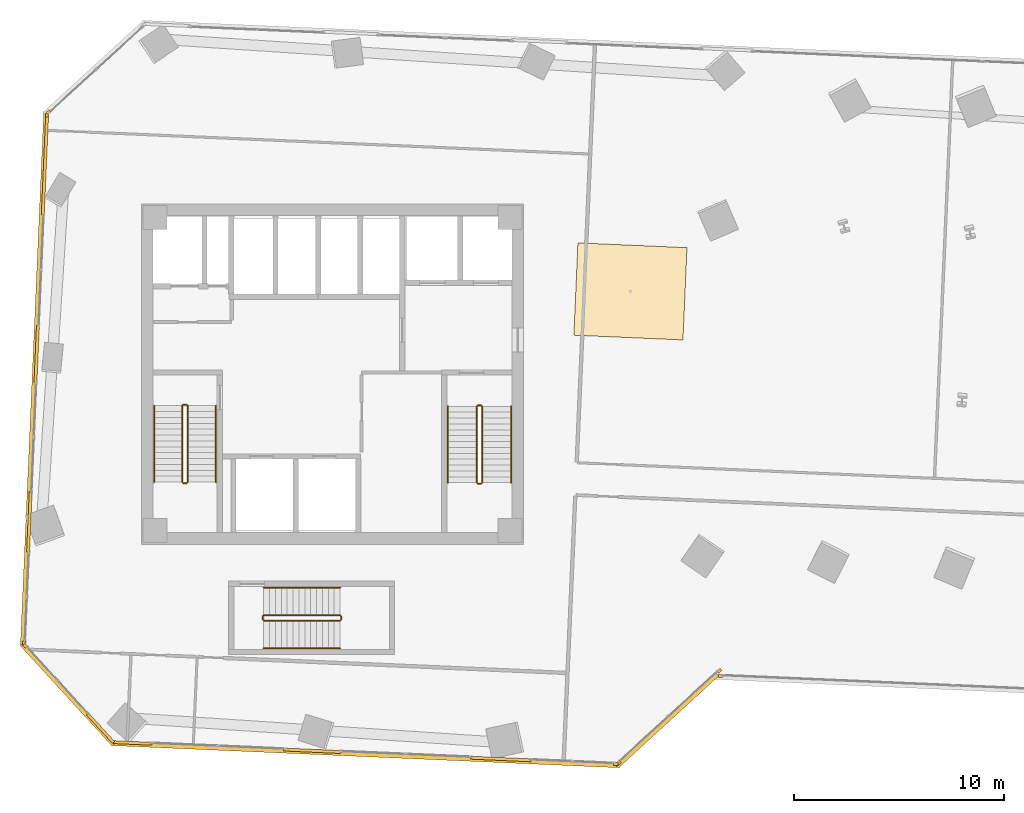
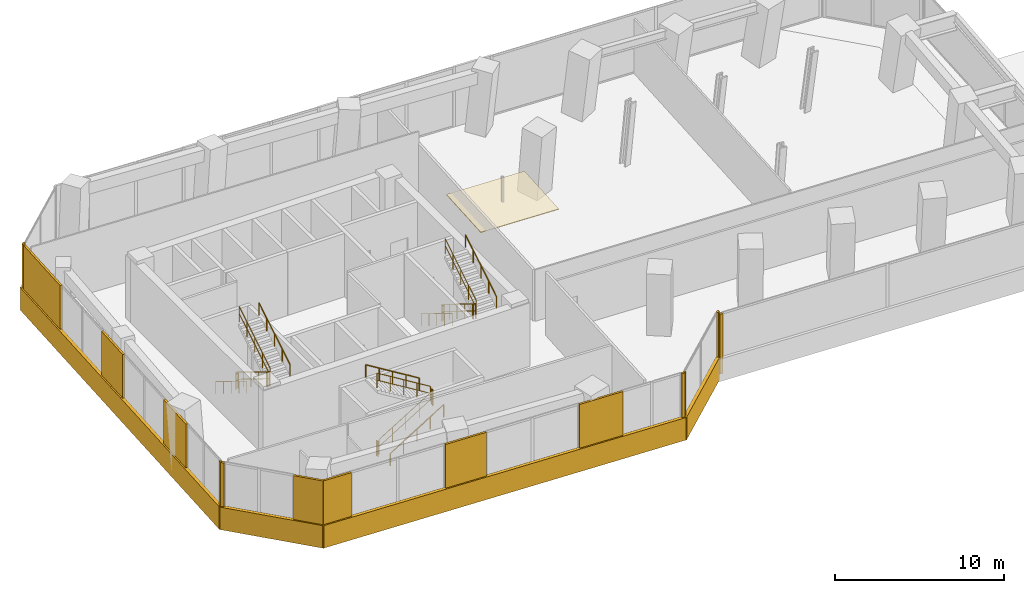
# One storey, part 25 of 27: 20 coverings, 18 railings.
"""IFC4 building model written with IfcOpenShell, lengths in metres."""

import ifcopenshell
import ifcopenshell.guid

model = None  # the IFC model being written
_history = None  # IfcOwnerHistory: only IFC2X3 demands one
_inside = {}  # id of a spatial element -> (the spatial element, [elements in it])
_under = {}  # id of a project, library or spatial element -> (it, [spatial elements below it])
_declared = {}  # id of a project -> (the project, [libraries it declares])
_typed = {}  # id of a type object -> (the type object, [elements of that type])
_made_of = {}  # id of a material, layer set ... -> (it, [elements and type objects made of it])


def new_model(schema):
    """Start an empty IFC model of exactly this schema.

    Asked for "IFC4X3", IfcOpenShell would pick the latest addendum, in which some entities
    have other attributes; the version numbers below select the first issue.
    IFC2X3 requires an IfcOwnerHistory on every rooted entity: one is made here for all.
    """
    global model, _history
    if schema == "IFC4X3":
        model = ifcopenshell.file(schema_version=(4, 3, 0, 0))
    else:
        model = ifcopenshell.file(schema=schema)
    _inside.clear()
    _under.clear()
    _declared.clear()
    _typed.clear()
    _made_of.clear()
    _history = None
    if model.schema == "IFC2X3":
        org = make("IfcOrganization", Name="unknown")
        user = make(
            "IfcPersonAndOrganization",
            ThePerson=make("IfcPerson", FamilyName="unknown"),
            TheOrganization=org,
        )
        app = make(
            "IfcApplication",
            ApplicationDeveloper=org,
            Version="unknown",
            ApplicationFullName="unknown",
            ApplicationIdentifier="unknown",
        )
        _history = make(
            "IfcOwnerHistory",
            OwningUser=user,
            OwningApplication=app,
            ChangeAction="ADDED",
            CreationDate=0,
        )
    return model


def make(cls, **values):
    """One entity of the class cls with the attributes given. An attribute that is None is left unset."""
    return model.create_entity(
        cls, **{name: value for name, value in values.items() if value is not None}
    )


def rooted(cls, **values):
    """An entity with a GlobalId (a new one), such as an element, a storey or a relation."""
    return make(cls, GlobalId=ifcopenshell.guid.new(), OwnerHistory=_history, **values)


def si_unit(unit_type, name, prefix=None):
    """IfcSIUnit, for example si_unit("LENGTHUNIT", "METRE", prefix="MILLI")."""
    return make("IfcSIUnit", UnitType=unit_type, Prefix=prefix, Name=name)


def assignment(units):
    """IfcUnitAssignment: the units of a project."""
    return None if units is None else make("IfcUnitAssignment", Units=units)


def point(xyz):
    """IfcCartesianPoint."""
    return None if xyz is None else make("IfcCartesianPoint", Coordinates=xyz)


def direction(xyz):
    """IfcDirection."""
    return None if xyz is None else make("IfcDirection", DirectionRatios=xyz)


def frame(location, z_axis=None, x_axis=None):
    """IfcAxis2Placement3D, a coordinate frame: its origin and axes. An axis left out is left unset."""
    return make(
        "IfcAxis2Placement3D",
        Location=point(location),
        Axis=direction(z_axis),
        RefDirection=direction(x_axis),
    )


def frame_2d(location, x_axis=None):
    """IfcAxis2Placement2D, a coordinate frame in the plane: its origin and x axis."""
    return make(
        "IfcAxis2Placement2D", Location=point(location), RefDirection=direction(x_axis)
    )


def origin():
    """The frame at (0, 0, 0) with its axes left unset."""
    return frame((0.0, 0.0, 0.0))


def origin_2d():
    """The frame at (0, 0) in the plane with its x axis left unset."""
    return frame_2d((0.0, 0.0))


def place(relative_to, where):
    """IfcLocalPlacement: puts the frame where relative to a parent placement (None: the world)."""
    return make(
        "IfcLocalPlacement", PlacementRelTo=relative_to, RelativePlacement=where
    )


def context(
    kind, dimensions, precision=None, world=None, true_north=None, identifier=None
):
    """IfcGeometricRepresentationContext, for example the 3D "Model" context."""
    return make(
        "IfcGeometricRepresentationContext",
        ContextIdentifier=identifier,
        ContextType=kind,
        CoordinateSpaceDimension=dimensions,
        Precision=precision,
        WorldCoordinateSystem=world,
        TrueNorth=true_north,
    )


def subcontext(parent, identifier, kind, view, scale=None):
    """IfcGeometricRepresentationSubContext, for example "Body" below "Model"."""
    return make(
        "IfcGeometricRepresentationSubContext",
        ContextIdentifier=identifier,
        ContextType=kind,
        ParentContext=parent,
        TargetScale=scale,
        TargetView=view,
    )


def project(units=None, contexts=None):
    """IfcProject with its units and contexts."""
    return rooted(
        "IfcProject",
        Name="project",
        RepresentationContexts=contexts,
        UnitsInContext=assignment(units),
    )


def spatial(cls, under=None, at=None, **own):
    """A site, building, storey or space (cls), placed at a placement, below another one or the project."""
    s = rooted(cls, ObjectPlacement=at, **own)
    if under is not None:
        _under.setdefault(under.id(), (under, []))[1].append(s)
    return s


def polyline(points):
    """IfcPolyline through the points."""
    return make("IfcPolyline", Points=[point(p) for p in points])


def profile(cls, at=None, kind="AREA", **sizes):
    """A parametric profile (cls). Its sizes go by their IFC names, for example OverallWidth=200.0."""
    return make(cls, ProfileType=kind, Position=at, **sizes)


def rectangle(**sizes):
    """IfcRectangleProfileDef."""
    return profile("IfcRectangleProfileDef", **sizes)


def circle(**sizes):
    """IfcCircleProfileDef."""
    return profile("IfcCircleProfileDef", **sizes)


def outline(outer, holes=None, kind="AREA"):
    """IfcArbitraryClosedProfileDef: a profile drawn as a closed curve; with holes, ...WithVoids."""
    if holes is None:
        return make("IfcArbitraryClosedProfileDef", ProfileType=kind, OuterCurve=outer)
    return make(
        "IfcArbitraryProfileDefWithVoids",
        ProfileType=kind,
        OuterCurve=outer,
        InnerCurves=holes,
    )


def extrude(swept, where, along, depth):
    """IfcExtrudedAreaSolid: the profile swept, set in the frame where, extruded along a direction by depth."""
    return make(
        "IfcExtrudedAreaSolid",
        SweptArea=swept,
        Position=where,
        ExtrudedDirection=direction(along),
        Depth=depth,
    )


def shape(context_of_items, identifier, shape_type, items):
    """IfcShapeRepresentation: the items that make up one representation, for example the "Body"."""
    return make(
        "IfcShapeRepresentation",
        ContextOfItems=context_of_items,
        RepresentationIdentifier=identifier,
        RepresentationType=shape_type,
        Items=items,
    )


def source(mapping_origin, context_of_items, identifier, shape_type, items):
    """IfcRepresentationMap: a shape defined once, which mapped items show again and again."""
    return make(
        "IfcRepresentationMap",
        MappingOrigin=mapping_origin,
        MappedRepresentation=shape(context_of_items, identifier, shape_type, items),
    )


def transform(
    local_origin,
    x_axis=None,
    y_axis=None,
    z_axis=None,
    scale=None,
    scale2=None,
    scale3=None,
    uniform=True,
):
    """IfcCartesianTransformationOperator3D, or its non-uniform kind. x_axis, y_axis, z_axis: its Axis1, 2, 3."""
    if uniform:
        return make(
            "IfcCartesianTransformationOperator3D",
            Axis1=direction(x_axis),
            Axis2=direction(y_axis),
            LocalOrigin=point(local_origin),
            Scale=scale,
            Axis3=direction(z_axis),
        )
    return make(
        "IfcCartesianTransformationOperator3DnonUniform",
        Axis1=direction(x_axis),
        Axis2=direction(y_axis),
        LocalOrigin=point(local_origin),
        Scale=scale,
        Axis3=direction(z_axis),
        Scale2=scale2,
        Scale3=scale3,
    )


def mapped(mapping_source, mapping_target):
    """IfcMappedItem: shows the shape of a source again, moved by a transform."""
    return make(
        "IfcMappedItem", MappingSource=mapping_source, MappingTarget=mapping_target
    )


def material(Name=None, Category=None):
    """IfcMaterial."""
    return make("IfcMaterial", Name=Name, Category=Category)


def layer(
    of_material, thickness, ventilated=None, Name=None, Category=None, Priority=None
):
    """IfcMaterialLayer: one layer of a wall or slab, of a material (None: an air gap)."""
    return make(
        "IfcMaterialLayer",
        Material=of_material,
        LayerThickness=thickness,
        IsVentilated=ventilated,
        Name=Name,
        Category=Category,
        Priority=Priority,
    )


def layer_set(layers, Name=None):
    """IfcMaterialLayerSet."""
    return make("IfcMaterialLayerSet", MaterialLayers=layers, LayerSetName=Name)


def made_of(thing, what):
    """Note that an element or type object is made of a material, layer set ...; save() writes the relation."""
    if what is not None:
        _made_of.setdefault(what.id(), (what, []))[1].append(thing)
    return thing


def type_object(cls, material=None, **own):
    """A type object (cls), such as IfcWallType, which elements share."""
    return made_of(rooted(cls, **own), material)


def element(
    cls,
    number,
    at=None,
    inside=None,
    cuts=None,
    type_object=None,
    material=None,
    context=None,
    identifier="Body",
    shape_type=None,
    held_by="IfcProductDefinitionShape",
    body=None,
    shapes=None,
    **own,
):
    """One element of the class cls, such as IfcWall. Its Tag is "e" and its number.

    at: its placement. inside: the storey or other place that contains it. cuts: it is an
    opening in that element (IfcRelVoidsElement). A single representation is given by context,
    identifier, shape_type and body (its items); several are given by shapes. held_by: the class
    of the entity that holds the representations. save() writes the other relations.
    """
    e = rooted(cls, Tag="e%d" % number, ObjectPlacement=at, **own)
    if body is not None:
        shapes = [shape(context, identifier, shape_type, body)]
    if shapes is not None:
        e.Representation = make(held_by, Representations=shapes)
    if inside is not None:
        _inside.setdefault(inside.id(), (inside, []))[1].append(e)
    if cuts is not None:
        rooted(
            "IfcRelVoidsElement", RelatingBuildingElement=cuts, RelatedOpeningElement=e
        )
    if type_object is not None:
        _typed.setdefault(type_object.id(), (type_object, []))[1].append(e)
    return made_of(e, material)


def aggregate(whole, parts):
    """IfcRelAggregates: a whole, such as a stair, and the parts it consists of."""
    return rooted("IfcRelAggregates", RelatingObject=whole, RelatedObjects=parts)


def save(model, path):
    """Write the relations noted so far, then the file.

    IfcRelAggregates (storeys below a building ...), IfcRelContainedInSpatialStructure (elements
    in a storey), IfcRelDefinesByType, IfcRelAssociatesMaterial and IfcRelDeclares: one each for
    every whole, place, type object, material and project.
    """
    for whole, parts in _under.values():
        aggregate(whole, parts)
    for where, things in _inside.values():
        rooted(
            "IfcRelContainedInSpatialStructure",
            RelatedElements=things,
            RelatingStructure=where,
        )
    for kind, things in _typed.values():
        rooted("IfcRelDefinesByType", RelatedObjects=things, RelatingType=kind)
    for what, things in _made_of.values():
        rooted("IfcRelAssociatesMaterial", RelatedObjects=things, RelatingMaterial=what)
    for by, libraries in _declared.values():
        rooted("IfcRelDeclares", RelatingContext=by, RelatedDefinitions=libraries)
    model.write(path)


model = new_model("IFC4")

# Units and contexts
model_context = context("Model", 3, precision=1e-05, world=origin(), true_north=direction((0.0, 1.0)))
body_context = subcontext(model_context, "Body", "Model", "MODEL_VIEW")
ifc_project = project(units=[si_unit("LENGTHUNIT", "METRE"), si_unit("AREAUNIT", "SQUARE_METRE"), si_unit("VOLUMEUNIT", "CUBIC_METRE"), si_unit("PLANEANGLEUNIT", "RADIAN"), si_unit("MASSUNIT", "GRAM", prefix="KILO")], contexts=[model_context])

# Site, building, storey
site_placement = place(None, origin())
site = spatial("IfcSite", under=ifc_project, at=site_placement, CompositionType="ELEMENT")
building_placement = place(site_placement, origin())
building = spatial("IfcBuilding", under=site, at=building_placement, Name="Torre Montelarca", CompositionType="ELEMENT")
storey_placement = place(building_placement, frame((0.0, 0.0, 37.60009765625)))
storey = spatial("IfcBuildingStorey", under=building, at=storey_placement, Name="L08", CompositionType="ELEMENT", Elevation=37.60009765625)

# Covering
ifc_material_1 = material(Name="Micro-perforated walnut timber acoustic slat", Category="wood")
ifc_layer_1 = layer(ifc_material_1, 0.050048828125, Name="Micro-perforated walnut timber acoustic slat", Category="wood")
ifc_layer_set_1 = layer_set([ifc_layer_1], Name="Micro-perforated walnut timber acoustic slat")
covering_type_1 = type_object("IfcCoveringType", Name="COV-CEIL-WD2", PredefinedType="CEILING", material=ifc_layer_set_1)
covering_1_placement = place(storey_placement, frame((0.0, 0.0, 2.719970703125)))
element("IfcCovering", 1, at=covering_1_placement, inside=storey, type_object=covering_type_1, Name="L08 Acoustic Suspended Ceiling 01", PredefinedType="CEILING", context=body_context, shape_type="SweptSolid", body=[
    extrude(outline(polyline([(29.48828125, 33.853271484375), (34.68359375, 33.62646484375), (34.87548828125, 38.022216796875), (29.680419921875, 38.2490234375), (29.48828125, 33.853271484375)])), origin(), (0.0, 0.0, 1.0), 0.050048828125),
])

# Railings
ifc_material_2 = material(Name="Powder-coated steel ASTM A500 Grade C", Category="steel")
railing_type_1 = type_object("IfcRailingType", Name="RL-GUARD-1100", PredefinedType="BALUSTRADE", material=ifc_material_2)
railing_1_placement = place(storey_placement, frame((10.85009765625, 30.5, 0.17138671875)))
element("IfcRailing", 2, at=railing_1_placement, inside=storey, type_object=railing_type_1, Name="L08 ST1 stair guard 1", PredefinedType="BALUSTRADE", context=body_context, shape_type="SweptSolid", body=[
    extrude(circle(Radius=0.02392578125, at=origin_2d()), frame((0.0, 0.0, 1.076171875), z_axis=(0.0, -0.852850264322, 0.5221555579), x_axis=(1.0, 0.0, 0.0)), (0.0, 0.0, 1.0), 4.267822265625),
    extrude(circle(Radius=0.02099609375, at=origin_2d()), frame((0.0, 0.0, 0.572021484375), z_axis=(0.0, -0.852850264322, 0.5221555579), x_axis=(1.0, 0.0, 0.0)), (0.0, 0.0, 1.0), 4.267822265625),
    extrude(circle(Radius=0.02099609375, at=origin_2d()), origin(), (0.0, 0.0, 1.0), 1.052001953125),
    extrude(circle(Radius=0.02099609375, at=origin_2d()), frame((0.0, -0.909912109375, 0.55712890625)), (0.0, 0.0, 1.0), 1.052001953125),
    extrude(circle(Radius=0.02099609375, at=origin_2d()), frame((0.0, -1.81982421875, 1.1142578125)), (0.0, 0.0, 1.0), 1.052001953125),
    extrude(circle(Radius=0.02099609375, at=origin_2d()), frame((0.0, -2.72998046875, 1.67138671875)), (0.0, 0.0, 1.0), 1.052001953125),
    extrude(circle(Radius=0.02099609375, at=origin_2d()), frame((0.0, -3.639892578125, 2.228515625)), (0.0, 0.0, 1.0), 1.052001953125),
])
railing_2_placement = place(storey_placement, frame((10.89990234375, 26.81005859375, 2.39990234375)))
element("IfcRailing", 3, at=railing_2_placement, inside=storey, type_object=railing_type_1, Name="L08 ST1 stair guard 2", PredefinedType="BALUSTRADE", context=body_context, shape_type="SweptSolid", body=[
    extrude(circle(Radius=0.02392578125, at=origin_2d()), frame((0.0, 0.0, 1.076171875), z_axis=(1.0, 0.0, 0.0), x_axis=(0.0, 1.0, 0.0)), (0.0, 0.0, 1.0), 0.150146484375),
    extrude(circle(Radius=0.02099609375, at=origin_2d()), frame((0.0, 0.0, 0.572021484375), z_axis=(1.0, 0.0, 0.0), x_axis=(0.0, 1.0, 0.0)), (0.0, 0.0, 1.0), 0.150146484375),
    extrude(circle(Radius=0.02099609375, at=origin_2d()), origin(), (0.0, 0.0, 1.0), 1.052001953125),
    extrude(circle(Radius=0.02099609375, at=origin_2d()), frame((0.150146484375, 0.0, 0.0)), (0.0, 0.0, 1.0), 1.052001953125),
])
railing_3_placement = place(storey_placement, frame((11.10009765625, 26.860107421875, 2.5712890625)))
element("IfcRailing", 4, at=railing_3_placement, inside=storey, type_object=railing_type_1, Name="L08 ST1 stair guard 3", PredefinedType="BALUSTRADE", context=body_context, shape_type="SweptSolid", body=[
    extrude(circle(Radius=0.02392578125, at=origin_2d()), frame((0.0, 0.0, 1.076171875), z_axis=(0.0, 0.852850264322, 0.5221555579), x_axis=(-1.0, 0.0, 0.0)), (0.0, 0.0, 1.0), 4.267822265625),
    extrude(circle(Radius=0.02099609375, at=origin_2d()), frame((0.0, 0.0, 0.572021484375), z_axis=(0.0, 0.852850264322, 0.5221555579), x_axis=(-1.0, 0.0, 0.0)), (0.0, 0.0, 1.0), 4.267822265625),
    extrude(circle(Radius=0.02099609375, at=origin_2d()), origin(), (0.0, 0.0, 1.0), 1.052001953125),
    extrude(circle(Radius=0.02099609375, at=origin_2d()), frame((0.0, 0.909912109375, 0.55712890625)), (0.0, 0.0, 1.0), 1.052001953125),
    extrude(circle(Radius=0.02099609375, at=origin_2d()), frame((0.0, 1.81982421875, 1.1142578125)), (0.0, 0.0, 1.0), 1.052001953125),
    extrude(circle(Radius=0.02099609375, at=origin_2d()), frame((0.0, 2.72998046875, 1.67138671875)), (0.0, 0.0, 1.0), 1.052001953125),
    extrude(circle(Radius=0.02099609375, at=origin_2d()), frame((0.0, 3.639892578125, 2.228515625)), (0.0, 0.0, 1.0), 1.052001953125),
])
railing_4_placement = place(storey_placement, frame((10.89990234375, 30.550048828125, 0.0)))
element("IfcRailing", 5, at=railing_4_placement, inside=storey, type_object=railing_type_1, Name="L08 ST1 stair guard 4", PredefinedType="BALUSTRADE", context=body_context, shape_type="SweptSolid", body=[
    extrude(circle(Radius=0.02392578125, at=origin_2d()), frame((0.0, 0.0, 1.076171875), z_axis=(1.0, 0.0, 0.0), x_axis=(0.0, 1.0, 0.0)), (0.0, 0.0, 1.0), 0.150146484375),
    extrude(circle(Radius=0.02099609375, at=origin_2d()), frame((0.0, 0.0, 0.572021484375), z_axis=(1.0, 0.0, 0.0), x_axis=(0.0, 1.0, 0.0)), (0.0, 0.0, 1.0), 0.150146484375),
    extrude(circle(Radius=0.02099609375, at=origin_2d()), origin(), (0.0, 0.0, 1.0), 1.052001953125),
    extrude(circle(Radius=0.02099609375, at=origin_2d()), frame((0.150146484375, 0.0, 0.0)), (0.0, 0.0, 1.0), 1.052001953125),
])
railing_5_placement = place(storey_placement, frame((24.8701171875, 30.469970703125, 0.17138671875)))
element("IfcRailing", 6, at=railing_5_placement, inside=storey, type_object=railing_type_1, Name="L08 ST2 stair guard 1", PredefinedType="BALUSTRADE", context=body_context, shape_type="SweptSolid", body=[
    extrude(circle(Radius=0.02392578125, at=origin_2d()), frame((0.0, 0.0, 1.076171875), z_axis=(0.0, -0.852850264322, 0.5221555579), x_axis=(1.0, 0.0, 0.0)), (0.0, 0.0, 1.0), 4.267822265625),
    extrude(circle(Radius=0.02099609375, at=origin_2d()), frame((0.0, 0.0, 0.572021484375), z_axis=(0.0, -0.852850264322, 0.5221555579), x_axis=(1.0, 0.0, 0.0)), (0.0, 0.0, 1.0), 4.267822265625),
    extrude(circle(Radius=0.02099609375, at=origin_2d()), origin(), (0.0, 0.0, 1.0), 1.052001953125),
    extrude(circle(Radius=0.02099609375, at=origin_2d()), frame((0.0, -0.909912109375, 0.55712890625)), (0.0, 0.0, 1.0), 1.052001953125),
    extrude(circle(Radius=0.02099609375, at=origin_2d()), frame((0.0, -1.81982421875, 1.1142578125)), (0.0, 0.0, 1.0), 1.052001953125),
    extrude(circle(Radius=0.02099609375, at=origin_2d()), frame((0.0, -2.72998046875, 1.67138671875)), (0.0, 0.0, 1.0), 1.052001953125),
    extrude(circle(Radius=0.02099609375, at=origin_2d()), frame((0.0, -3.639892578125, 2.228515625)), (0.0, 0.0, 1.0), 1.052001953125),
])
railing_6_placement = place(storey_placement, frame((24.919921875, 26.780029296875, 2.39990234375)))
element("IfcRailing", 7, at=railing_6_placement, inside=storey, type_object=railing_type_1, Name="L08 ST2 stair guard 2", PredefinedType="BALUSTRADE", context=body_context, shape_type="SweptSolid", body=[
    extrude(circle(Radius=0.02392578125, at=origin_2d()), frame((0.0, 0.0, 1.076171875), z_axis=(1.0, 0.0, 0.0), x_axis=(0.0, 1.0, 0.0)), (0.0, 0.0, 1.0), 0.150146484375),
    extrude(circle(Radius=0.02099609375, at=origin_2d()), frame((0.0, 0.0, 0.572021484375), z_axis=(1.0, 0.0, 0.0), x_axis=(0.0, 1.0, 0.0)), (0.0, 0.0, 1.0), 0.150146484375),
    extrude(circle(Radius=0.02099609375, at=origin_2d()), origin(), (0.0, 0.0, 1.0), 1.052001953125),
    extrude(circle(Radius=0.02099609375, at=origin_2d()), frame((0.150146484375, 0.0, 0.0)), (0.0, 0.0, 1.0), 1.052001953125),
])
railing_7_placement = place(storey_placement, frame((25.1201171875, 26.830078125, 2.5712890625)))
element("IfcRailing", 8, at=railing_7_placement, inside=storey, type_object=railing_type_1, Name="L08 ST2 stair guard 3", PredefinedType="BALUSTRADE", context=body_context, shape_type="SweptSolid", body=[
    extrude(circle(Radius=0.02392578125, at=origin_2d()), frame((0.0, 0.0, 1.076171875), z_axis=(0.0, 0.852850264322, 0.5221555579), x_axis=(-1.0, 0.0, 0.0)), (0.0, 0.0, 1.0), 4.267822265625),
    extrude(circle(Radius=0.02099609375, at=origin_2d()), frame((0.0, 0.0, 0.572021484375), z_axis=(0.0, 0.852850264322, 0.5221555579), x_axis=(-1.0, 0.0, 0.0)), (0.0, 0.0, 1.0), 4.267822265625),
    extrude(circle(Radius=0.02099609375, at=origin_2d()), origin(), (0.0, 0.0, 1.0), 1.052001953125),
    extrude(circle(Radius=0.02099609375, at=origin_2d()), frame((0.0, 0.909912109375, 0.55712890625)), (0.0, 0.0, 1.0), 1.052001953125),
    extrude(circle(Radius=0.02099609375, at=origin_2d()), frame((0.0, 1.81982421875, 1.1142578125)), (0.0, 0.0, 1.0), 1.052001953125),
    extrude(circle(Radius=0.02099609375, at=origin_2d()), frame((0.0, 2.72998046875, 1.67138671875)), (0.0, 0.0, 1.0), 1.052001953125),
    extrude(circle(Radius=0.02099609375, at=origin_2d()), frame((0.0, 3.639892578125, 2.228515625)), (0.0, 0.0, 1.0), 1.052001953125),
])
railing_8_placement = place(storey_placement, frame((24.919921875, 30.52001953125, 0.0)))
element("IfcRailing", 9, at=railing_8_placement, inside=storey, type_object=railing_type_1, Name="L08 ST2 stair guard 4", PredefinedType="BALUSTRADE", context=body_context, shape_type="SweptSolid", body=[
    extrude(circle(Radius=0.02392578125, at=origin_2d()), frame((0.0, 0.0, 1.076171875), z_axis=(1.0, 0.0, 0.0), x_axis=(0.0, 1.0, 0.0)), (0.0, 0.0, 1.0), 0.150146484375),
    extrude(circle(Radius=0.02099609375, at=origin_2d()), frame((0.0, 0.0, 0.572021484375), z_axis=(1.0, 0.0, 0.0), x_axis=(0.0, 1.0, 0.0)), (0.0, 0.0, 1.0), 0.150146484375),
    extrude(circle(Radius=0.02099609375, at=origin_2d()), origin(), (0.0, 0.0, 1.0), 1.052001953125),
    extrude(circle(Radius=0.02099609375, at=origin_2d()), frame((0.150146484375, 0.0, 0.0)), (0.0, 0.0, 1.0), 1.052001953125),
])
railing_9_placement = place(storey_placement, frame((14.719970703125, 20.27001953125, 0.17138671875)))
element("IfcRailing", 10, at=railing_9_placement, inside=storey, type_object=railing_type_1, Name="L08 ST3 stair guard 1", PredefinedType="BALUSTRADE", context=body_context, shape_type="SweptSolid", body=[
    extrude(circle(Radius=0.02392578125, at=origin_2d()), frame((0.0, 0.0, 1.076171875), z_axis=(0.852865859571, 0.0, 0.52213008492), x_axis=(0.0, 1.0, 0.0)), (0.0, 0.0, 1.0), 4.26806640625),
    extrude(circle(Radius=0.02099609375, at=origin_2d()), frame((0.0, 0.0, 0.572021484375), z_axis=(0.852865859571, 0.0, 0.52213008492), x_axis=(0.0, 1.0, 0.0)), (0.0, 0.0, 1.0), 4.26806640625),
    extrude(circle(Radius=0.02099609375, at=origin_2d()), origin(), (0.0, 0.0, 1.0), 1.052001953125),
    extrude(circle(Radius=0.02099609375, at=origin_2d()), frame((0.91015625, 0.0, 0.55712890625)), (0.0, 0.0, 1.0), 1.052001953125),
    extrude(circle(Radius=0.02099609375, at=origin_2d()), frame((1.820068359375, 0.0, 1.1142578125)), (0.0, 0.0, 1.0), 1.052001953125),
    extrude(circle(Radius=0.02099609375, at=origin_2d()), frame((2.72998046875, 0.0, 1.67138671875)), (0.0, 0.0, 1.0), 1.052001953125),
    extrude(circle(Radius=0.02099609375, at=origin_2d()), frame((3.64013671875, 0.0, 2.228515625)), (0.0, 0.0, 1.0), 1.052001953125),
])
railing_10_placement = place(storey_placement, frame((18.409912109375, 20.320068359375, 2.39990234375)))
element("IfcRailing", 11, at=railing_10_placement, inside=storey, type_object=railing_type_1, Name="L08 ST3 stair guard 2", PredefinedType="BALUSTRADE", context=body_context, shape_type="SweptSolid", body=[
    extrude(circle(Radius=0.02392578125, at=origin_2d()), frame((0.0, 0.0, 1.076171875), z_axis=(0.0, 1.0, 0.0), x_axis=(-1.0, 0.0, 0.0)), (0.0, 0.0, 1.0), 0.14990234375),
    extrude(circle(Radius=0.02099609375, at=origin_2d()), frame((0.0, 0.0, 0.572021484375), z_axis=(0.0, 1.0, 0.0), x_axis=(-1.0, 0.0, 0.0)), (0.0, 0.0, 1.0), 0.14990234375),
    extrude(circle(Radius=0.02099609375, at=origin_2d()), origin(), (0.0, 0.0, 1.0), 1.052001953125),
    extrude(circle(Radius=0.02099609375, at=origin_2d()), frame((0.0, 0.14990234375, 0.0)), (0.0, 0.0, 1.0), 1.052001953125),
])
railing_11_placement = place(storey_placement, frame((18.360107421875, 20.52001953125, 2.5712890625)))
element("IfcRailing", 12, at=railing_11_placement, inside=storey, type_object=railing_type_1, Name="L08 ST3 stair guard 3", PredefinedType="BALUSTRADE", context=body_context, shape_type="SweptSolid", body=[
    extrude(circle(Radius=0.02392578125, at=origin_2d()), frame((0.0, 0.0, 1.076171875), z_axis=(-0.852865859571, 0.0, 0.52213008492), x_axis=(0.0, -1.0, 0.0)), (0.0, 0.0, 1.0), 4.26806640625),
    extrude(circle(Radius=0.02099609375, at=origin_2d()), frame((0.0, 0.0, 0.572021484375), z_axis=(-0.852865859571, 0.0, 0.52213008492), x_axis=(0.0, -1.0, 0.0)), (0.0, 0.0, 1.0), 4.26806640625),
    extrude(circle(Radius=0.02099609375, at=origin_2d()), origin(), (0.0, 0.0, 1.0), 1.052001953125),
    extrude(circle(Radius=0.02099609375, at=origin_2d()), frame((-0.91015625, 0.0, 0.55712890625)), (0.0, 0.0, 1.0), 1.052001953125),
    extrude(circle(Radius=0.02099609375, at=origin_2d()), frame((-1.820068359375, 0.0, 1.1142578125)), (0.0, 0.0, 1.0), 1.052001953125),
    extrude(circle(Radius=0.02099609375, at=origin_2d()), frame((-2.72998046875, 0.0, 1.67138671875)), (0.0, 0.0, 1.0), 1.052001953125),
    extrude(circle(Radius=0.02099609375, at=origin_2d()), frame((-3.64013671875, 0.0, 2.228515625)), (0.0, 0.0, 1.0), 1.052001953125),
])
railing_12_placement = place(storey_placement, frame((14.669921875, 20.320068359375, 0.0)))
element("IfcRailing", 13, at=railing_12_placement, inside=storey, type_object=railing_type_1, Name="L08 ST3 stair guard 4", PredefinedType="BALUSTRADE", context=body_context, shape_type="SweptSolid", body=[
    extrude(circle(Radius=0.02392578125, at=origin_2d()), frame((0.0, 0.0, 1.076171875), z_axis=(0.0, 1.0, 0.0), x_axis=(-1.0, 0.0, 0.0)), (0.0, 0.0, 1.0), 0.14990234375),
    extrude(circle(Radius=0.02099609375, at=origin_2d()), frame((0.0, 0.0, 0.572021484375), z_axis=(0.0, 1.0, 0.0), x_axis=(-1.0, 0.0, 0.0)), (0.0, 0.0, 1.0), 0.14990234375),
    extrude(circle(Radius=0.02099609375, at=origin_2d()), origin(), (0.0, 0.0, 1.0), 1.052001953125),
    extrude(circle(Radius=0.02099609375, at=origin_2d()), frame((0.0, 0.14990234375, 0.0)), (0.0, 0.0, 1.0), 1.052001953125),
])
ifc_material_3 = material(Name="Brushed stainless steel AISI 316", Category="steel")
railing_type_2 = type_object("IfcRailingType", Name="RL-HANDRAIL-900", PredefinedType="HANDRAIL", material=ifc_material_3)
railing_13_placement = place(storey_placement, frame((9.5, 30.5, 0.17138671875)))
element("IfcRailing", 14, at=railing_13_placement, inside=storey, type_object=railing_type_2, Name="L08 ST1 stair handrail 1", PredefinedType="HANDRAIL", context=body_context, shape_type="SweptSolid", body=[
    extrude(circle(Radius=0.02392578125, at=origin_2d()), frame((0.0, 0.0, 0.8759765625), z_axis=(0.0, -0.852850264322, 0.5221555579), x_axis=(1.0, 0.0, 0.0)), (0.0, 0.0, 1.0), 4.267822265625),
    extrude(circle(Radius=0.02099609375, at=origin_2d()), origin(), (0.0, 0.0, 1.0), 0.851806640625),
    extrude(circle(Radius=0.02099609375, at=origin_2d()), frame((0.0, -0.909912109375, 0.55712890625)), (0.0, 0.0, 1.0), 0.851806640625),
    extrude(circle(Radius=0.02099609375, at=origin_2d()), frame((0.0, -1.81982421875, 1.1142578125)), (0.0, 0.0, 1.0), 0.851806640625),
    extrude(circle(Radius=0.02099609375, at=origin_2d()), frame((0.0, -2.72998046875, 1.67138671875)), (0.0, 0.0, 1.0), 0.851806640625),
    extrude(circle(Radius=0.02099609375, at=origin_2d()), frame((0.0, -3.639892578125, 2.228515625)), (0.0, 0.0, 1.0), 0.851806640625),
])
railing_14_placement = place(storey_placement, frame((12.449951171875, 26.860107421875, 2.5712890625)))
element("IfcRailing", 15, at=railing_14_placement, inside=storey, type_object=railing_type_2, Name="L08 ST1 stair handrail 2", PredefinedType="HANDRAIL", context=body_context, shape_type="SweptSolid", body=[
    extrude(circle(Radius=0.02392578125, at=origin_2d()), frame((0.0, 0.0, 0.8759765625), z_axis=(0.0, 0.852850264322, 0.5221555579), x_axis=(-1.0, 0.0, 0.0)), (0.0, 0.0, 1.0), 4.267822265625),
    extrude(circle(Radius=0.02099609375, at=origin_2d()), origin(), (0.0, 0.0, 1.0), 0.851806640625),
    extrude(circle(Radius=0.02099609375, at=origin_2d()), frame((0.0, 0.909912109375, 0.55712890625)), (0.0, 0.0, 1.0), 0.851806640625),
    extrude(circle(Radius=0.02099609375, at=origin_2d()), frame((0.0, 1.81982421875, 1.1142578125)), (0.0, 0.0, 1.0), 0.851806640625),
    extrude(circle(Radius=0.02099609375, at=origin_2d()), frame((0.0, 2.72998046875, 1.67138671875)), (0.0, 0.0, 1.0), 0.851806640625),
    extrude(circle(Radius=0.02099609375, at=origin_2d()), frame((0.0, 3.639892578125, 2.228515625)), (0.0, 0.0, 1.0), 0.851806640625),
])
railing_15_placement = place(storey_placement, frame((23.489990234375, 30.469970703125, 0.17138671875)))
element("IfcRailing", 16, at=railing_15_placement, inside=storey, type_object=railing_type_2, Name="L08 ST2 stair handrail 1", PredefinedType="HANDRAIL", context=body_context, shape_type="SweptSolid", body=[
    extrude(circle(Radius=0.02392578125, at=origin_2d()), frame((0.0, 0.0, 0.8759765625), z_axis=(0.0, -0.852850264322, 0.5221555579), x_axis=(1.0, 0.0, 0.0)), (0.0, 0.0, 1.0), 4.267822265625),
    extrude(circle(Radius=0.02099609375, at=origin_2d()), origin(), (0.0, 0.0, 1.0), 0.851806640625),
    extrude(circle(Radius=0.02099609375, at=origin_2d()), frame((0.0, -0.909912109375, 0.55712890625)), (0.0, 0.0, 1.0), 0.851806640625),
    extrude(circle(Radius=0.02099609375, at=origin_2d()), frame((0.0, -1.81982421875, 1.1142578125)), (0.0, 0.0, 1.0), 0.851806640625),
    extrude(circle(Radius=0.02099609375, at=origin_2d()), frame((0.0, -2.72998046875, 1.67138671875)), (0.0, 0.0, 1.0), 0.851806640625),
    extrude(circle(Radius=0.02099609375, at=origin_2d()), frame((0.0, -3.639892578125, 2.228515625)), (0.0, 0.0, 1.0), 0.851806640625),
])
railing_16_placement = place(storey_placement, frame((26.5, 26.830078125, 2.5712890625)))
element("IfcRailing", 17, at=railing_16_placement, inside=storey, type_object=railing_type_2, Name="L08 ST2 stair handrail 2", PredefinedType="HANDRAIL", context=body_context, shape_type="SweptSolid", body=[
    extrude(circle(Radius=0.02392578125, at=origin_2d()), frame((0.0, 0.0, 0.8759765625), z_axis=(0.0, 0.852850264322, 0.5221555579), x_axis=(-1.0, 0.0, 0.0)), (0.0, 0.0, 1.0), 4.267822265625),
    extrude(circle(Radius=0.02099609375, at=origin_2d()), origin(), (0.0, 0.0, 1.0), 0.851806640625),
    extrude(circle(Radius=0.02099609375, at=origin_2d()), frame((0.0, 0.909912109375, 0.55712890625)), (0.0, 0.0, 1.0), 0.851806640625),
    extrude(circle(Radius=0.02099609375, at=origin_2d()), frame((0.0, 1.81982421875, 1.1142578125)), (0.0, 0.0, 1.0), 0.851806640625),
    extrude(circle(Radius=0.02099609375, at=origin_2d()), frame((0.0, 2.72998046875, 1.67138671875)), (0.0, 0.0, 1.0), 0.851806640625),
    extrude(circle(Radius=0.02099609375, at=origin_2d()), frame((0.0, 3.639892578125, 2.228515625)), (0.0, 0.0, 1.0), 0.851806640625),
])
railing_17_placement = place(storey_placement, frame((14.719970703125, 18.949951171875, 0.17138671875)))
element("IfcRailing", 18, at=railing_17_placement, inside=storey, type_object=railing_type_2, Name="L08 ST3 stair handrail 1", PredefinedType="HANDRAIL", context=body_context, shape_type="SweptSolid", body=[
    extrude(circle(Radius=0.02392578125, at=origin_2d()), frame((0.0, 0.0, 0.8759765625), z_axis=(0.852865859571, 0.0, 0.52213008492), x_axis=(0.0, 1.0, 0.0)), (0.0, 0.0, 1.0), 4.26806640625),
    extrude(circle(Radius=0.02099609375, at=origin_2d()), origin(), (0.0, 0.0, 1.0), 0.851806640625),
    extrude(circle(Radius=0.02099609375, at=origin_2d()), frame((0.91015625, 0.0, 0.55712890625)), (0.0, 0.0, 1.0), 0.851806640625),
    extrude(circle(Radius=0.02099609375, at=origin_2d()), frame((1.820068359375, 0.0, 1.1142578125)), (0.0, 0.0, 1.0), 0.851806640625),
    extrude(circle(Radius=0.02099609375, at=origin_2d()), frame((2.72998046875, 0.0, 1.67138671875)), (0.0, 0.0, 1.0), 0.851806640625),
    extrude(circle(Radius=0.02099609375, at=origin_2d()), frame((3.64013671875, 0.0, 2.228515625)), (0.0, 0.0, 1.0), 0.851806640625),
])
railing_18_placement = place(storey_placement, frame((18.360107421875, 21.840087890625, 2.5712890625)))
element("IfcRailing", 19, at=railing_18_placement, inside=storey, type_object=railing_type_2, Name="L08 ST3 stair handrail 2", PredefinedType="HANDRAIL", context=body_context, shape_type="SweptSolid", body=[
    extrude(circle(Radius=0.02392578125, at=origin_2d()), frame((0.0, 0.0, 0.8759765625), z_axis=(-0.852865859571, 0.0, 0.52213008492), x_axis=(0.0, -1.0, 0.0)), (0.0, 0.0, 1.0), 4.26806640625),
    extrude(circle(Radius=0.02099609375, at=origin_2d()), origin(), (0.0, 0.0, 1.0), 0.851806640625),
    extrude(circle(Radius=0.02099609375, at=origin_2d()), frame((-0.91015625, 0.0, 0.55712890625)), (0.0, 0.0, 1.0), 0.851806640625),
    extrude(circle(Radius=0.02099609375, at=origin_2d()), frame((-1.820068359375, 0.0, 1.1142578125)), (0.0, 0.0, 1.0), 0.851806640625),
    extrude(circle(Radius=0.02099609375, at=origin_2d()), frame((-2.72998046875, 0.0, 1.67138671875)), (0.0, 0.0, 1.0), 0.851806640625),
    extrude(circle(Radius=0.02099609375, at=origin_2d()), frame((-3.64013671875, 0.0, 2.228515625)), (0.0, 0.0, 1.0), 0.851806640625),
])

# Coverings
ifc_material_4 = material(Name="Bush-hammered warm white precast concrete C45/55", Category="concrete")
ifc_layer_2 = layer(ifc_material_4, 0.139892578125, Name="Bush-hammered warm white precast concrete C45/55", Category="concrete")
ifc_layer_set_2 = layer_set([ifc_layer_2], Name="Bush-hammered warm white precast concrete C45/55")
covering_type_2 = type_object("IfcCoveringType", Name="COV-TRAY-CLAD", PredefinedType="CLADDING", material=ifc_layer_set_2)
shared_shape_1 = source(origin(), body_context, "Body", "SweptSolid", [
    extrude(rectangle(XDim=1.864013671875, YDim=0.139892578125, at=origin_2d()), origin(), (0.0, 0.0, 1.0), 4.320068359375),
])
covering_2_placement = place(storey_placement, frame((8.469482421875, 14.441650390625, 0.0), z_axis=(0.0, 0.0, 1.0), x_axis=(0.999048221582, -0.043619387365, 0.0)))
element("IfcCovering", 20, at=covering_2_placement, inside=storey, type_object=covering_type_2, Name="L08 Architectural Column Pier Cladding E01-1", PredefinedType="CLADDING", context=body_context, shape_type="MappedRepresentation", body=[
    mapped(shared_shape_1, transform((0.0, 0.0, 0.0), scale=1.0)),
])
shared_shape_2 = source(origin(), body_context, "Body", "SweptSolid", [
    extrude(rectangle(XDim=0.199951171875, YDim=0.139892578125, at=origin_2d()), origin(), (0.0, 0.0, 1.0), 4.320068359375),
])
for number, where, z_axis, x_axis, name in (
    (21, (31.48388671875, 13.436767578125, 0.0), (0.0, 0.0, 1.0), (0.999048221582, -0.043619387365, 0.0), "L08 Architectural Column Pier Cladding E01-4"),
    (22, (31.620361328125, 13.486572265625, 0.0), (0.0, 0.0, 1.0), (0.737280874182, 0.675586347231, 0.0), "L08 Architectural Column Pier Cladding E02-1"),
    (23, (36.412841796875, 17.8779296875, 0.0), (0.0, 0.0, 1.0), (0.737280874182, 0.675586347231, 0.0), "L08 Architectural Column Pier Cladding E02-2"),
    (24, (36.479248046875, 17.623046875, 0.0), (0.0, 0.0, 1.0), (0.99904814545, -0.043621131033, 0.0), "L08 Architectural Column Pier Cladding E04-1"),
    (25, (4.473388671875, 44.472900390625, 0.0), (0.0, 0.0, 1.0), (-0.737272620283, -0.675595354766, 0.0), "L08 Architectural Column Pier Cladding E09-2"),
    (26, (4.412109375, 44.34130859375, 0.0), (0.0, 0.0, 1.0), (-0.043619387365, -0.999048221582, 0.0), "L08 Architectural Column Pier Cladding E10-1"),
    (27, (3.314208984375, 19.197021484375, 0.0), (0.0, 0.0, 1.0), (-0.043619387365, -0.999048221582, 0.0), "L08 Architectural Column Pier Cladding E10-5"),
    (28, (3.364013671875, 19.060546875, 0.0), (0.0, 0.0, 1.0), (0.675586347231, -0.737280874182, 0.0), "L08 Architectural Column Pier Cladding E11-1"),
):
    element("IfcCovering", number, at=place(storey_placement, frame(where, z_axis=z_axis, x_axis=x_axis)), inside=storey, type_object=covering_type_2, Name=name, PredefinedType="CLADDING", context=body_context, shape_type="MappedRepresentation", body=[
        mapped(shared_shape_2, transform((0.0, 0.0, 0.0), scale=1.0)),
    ])
shared_shape_3 = source(origin(), body_context, "Body", "SweptSolid", [
    extrude(rectangle(XDim=4.76416015625, YDim=0.139892578125, at=origin_2d()), origin(), (0.0, 0.0, 1.0), 4.320068359375),
])
covering_3_placement = place(storey_placement, frame((4.30810546875, 41.96142578125, 0.0), z_axis=(0.0, 0.0, 1.0), x_axis=(-0.043619387365, -0.999048221582, 0.0)))
element("IfcCovering", 29, at=covering_3_placement, inside=storey, type_object=covering_type_2, Name="L08 Architectural Column Pier Cladding E10-2", PredefinedType="CLADDING", context=body_context, shape_type="MappedRepresentation", body=[
    mapped(shared_shape_3, transform((0.0, 0.0, 0.0), scale=1.0)),
])
shared_shape_4 = source(origin(), body_context, "Body", "SweptSolid", [
    extrude(rectangle(XDim=24.219970703125, YDim=0.219970703125, at=origin_2d()), origin(), (0.0, 0.0, 1.0), 1.6201171875),
])
covering_4_placement = place(storey_placement, frame((19.55859375, 13.8974609375, -0.4501953125), z_axis=(0.0, 0.0, 1.0), x_axis=(0.999048297711, -0.043617643697, 0.0)))
element("IfcCovering", 30, at=covering_4_placement, inside=storey, type_object=covering_type_2, Name="L08 Architectural White Spandrel Tray Band TRYBOT-01", PredefinedType="CLADDING", context=body_context, shape_type="MappedRepresentation", body=[
    mapped(shared_shape_4, transform((0.0, 0.0, 0.0), scale=1.0)),
])
shared_shape_5 = source(origin(), body_context, "Body", "SweptSolid", [
    extrude(rectangle(XDim=6.48388671875, YDim=0.219970703125, at=origin_2d()), origin(), (0.0, 0.0, 1.0), 1.6201171875),
])
for number, where, z_axis, x_axis, name in (
    (31, (33.92138671875, 15.513671875, -0.4501953125), (0.0, 0.0, 1.0), (0.73727969506, 0.675587634028, 0.0), "L08 Architectural White Spandrel Tray Band TRYBOT-02"),
    (32, (5.39111328125, 16.759521484375, -0.4501953125), (0.0, 0.0, 1.0), (0.675587634028, -0.73727969506, 0.0), "L08 Architectural White Spandrel Tray Band TRYBOT-11"),
):
    element("IfcCovering", number, at=place(storey_placement, frame(where, z_axis=z_axis, x_axis=x_axis)), inside=storey, type_object=covering_type_2, Name=name, PredefinedType="CLADDING", context=body_context, shape_type="MappedRepresentation", body=[
        mapped(shared_shape_5, transform((0.0, 0.0, 0.0), scale=1.0)),
    ])
shared_shape_6 = source(origin(), body_context, "Body", "SweptSolid", [
    extrude(rectangle(XDim=25.52001953125, YDim=0.219970703125, at=origin_2d()), origin(), (0.0, 0.0, 1.0), 1.6201171875),
])
covering_5_placement = place(storey_placement, frame((3.80322265625, 31.771728515625, -0.4501953125), z_axis=(0.0, 0.0, 1.0), x_axis=(-0.043617643697, -0.999048297711, 0.0)))
element("IfcCovering", 33, at=covering_5_placement, inside=storey, type_object=covering_type_2, Name="L08 Architectural White Spandrel Tray Band TRYBOT-10", PredefinedType="CLADDING", context=body_context, shape_type="MappedRepresentation", body=[
    mapped(shared_shape_6, transform((0.0, 0.0, 0.0), scale=1.0)),
])
shared_shape_7 = source(origin(), body_context, "Body", "SweptSolid", [
    extrude(rectangle(XDim=2.734375, YDim=0.139892578125, at=origin_2d()), origin(), (0.0, 0.0, 1.0), 4.320068359375),
])
covering_6_placement = place(storey_placement, frame((17.0263671875, 14.068115234375, 0.0), z_axis=(0.0, 0.0, 1.0), x_axis=(0.999048221582, -0.043619387365, 0.0)))
element("IfcCovering", 34, at=covering_6_placement, inside=storey, type_object=covering_type_2, Name="L08 Architectural Column Pier Cladding E01-2", PredefinedType="CLADDING", context=body_context, shape_type="MappedRepresentation", body=[
    mapped(shared_shape_7, transform((0.0, 0.0, 0.0), scale=1.0)),
])
shared_shape_8 = source(origin(), body_context, "Body", "SweptSolid", [
    extrude(rectangle(XDim=2.886474609375, YDim=0.139892578125, at=origin_2d()), origin(), (0.0, 0.0, 1.0), 4.320068359375),
])
covering_7_placement = place(storey_placement, frame((26.0166015625, 13.675537109375, 0.0), z_axis=(0.0, 0.0, 1.0), x_axis=(0.999048221582, -0.043619387365, 0.0)))
element("IfcCovering", 35, at=covering_7_placement, inside=storey, type_object=covering_type_2, Name="L08 Architectural Column Pier Cladding E01-3", PredefinedType="CLADDING", context=body_context, shape_type="MappedRepresentation", body=[
    mapped(shared_shape_8, transform((0.0, 0.0, 0.0), scale=1.0)),
])
shared_shape_9 = source(origin(), body_context, "Body", "SweptSolid", [
    extrude(rectangle(XDim=2.7275390625, YDim=0.139892578125, at=origin_2d()), origin(), (0.0, 0.0, 1.0), 4.320068359375),
])
covering_8_placement = place(storey_placement, frame((3.914794921875, 32.95166015625, 0.0), z_axis=(0.0, 0.0, 1.0), x_axis=(-0.043619387365, -0.999048221582, 0.0)))
element("IfcCovering", 36, at=covering_8_placement, inside=storey, type_object=covering_type_2, Name="L08 Architectural Column Pier Cladding E10-3", PredefinedType="CLADDING", context=body_context, shape_type="MappedRepresentation", body=[
    mapped(shared_shape_9, transform((0.0, 0.0, 0.0), scale=1.0)),
])
shared_shape_10 = source(origin(), body_context, "Body", "SweptSolid", [
    extrude(rectangle(XDim=2.87939453125, YDim=0.139892578125, at=origin_2d()), origin(), (0.0, 0.0, 1.0), 4.320068359375),
])
covering_9_placement = place(storey_placement, frame((3.56591796875, 24.960205078125, 0.0), z_axis=(0.0, 0.0, 1.0), x_axis=(-0.043619387365, -0.999048221582, 0.0)))
element("IfcCovering", 37, at=covering_9_placement, inside=storey, type_object=covering_type_2, Name="L08 Architectural Column Pier Cladding E10-4", PredefinedType="CLADDING", context=body_context, shape_type="MappedRepresentation", body=[
    mapped(shared_shape_10, transform((0.0, 0.0, 0.0), scale=1.0)),
])
shared_shape_11 = source(origin(), body_context, "Body", "SweptSolid", [
    extrude(rectangle(XDim=1.835205078125, YDim=0.139892578125, at=origin_2d()), origin(), (0.0, 0.0, 1.0), 4.320068359375),
])
covering_10_placement = place(storey_placement, frame((6.954345703125, 15.14208984375, 0.0), z_axis=(0.0, 0.0, 1.0), x_axis=(0.675586347231, -0.737280874182, 0.0)))
element("IfcCovering", 38, at=covering_10_placement, inside=storey, type_object=covering_type_2, Name="L08 Architectural Column Pier Cladding E11-2", PredefinedType="CLADDING", context=body_context, shape_type="MappedRepresentation", body=[
    mapped(shared_shape_11, transform((0.0, 0.0, 0.0), scale=1.0)),
])

save(model, "model.ifc")
